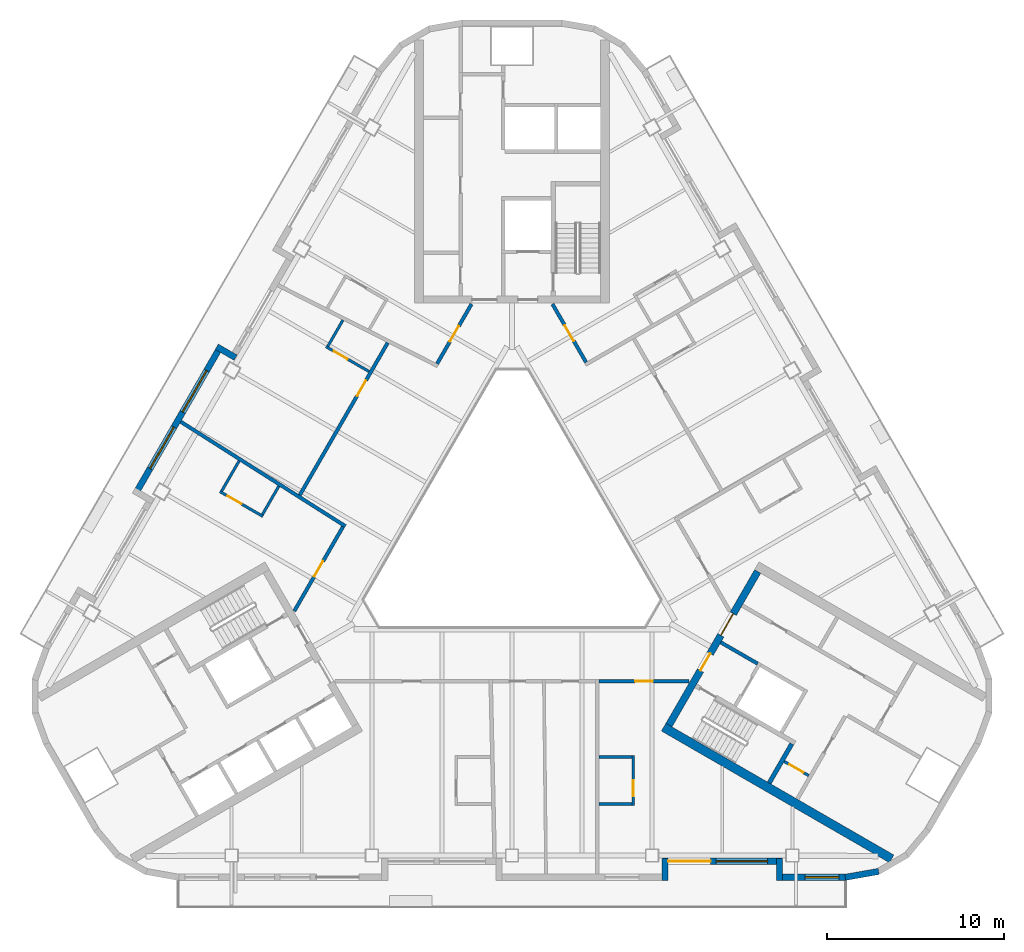
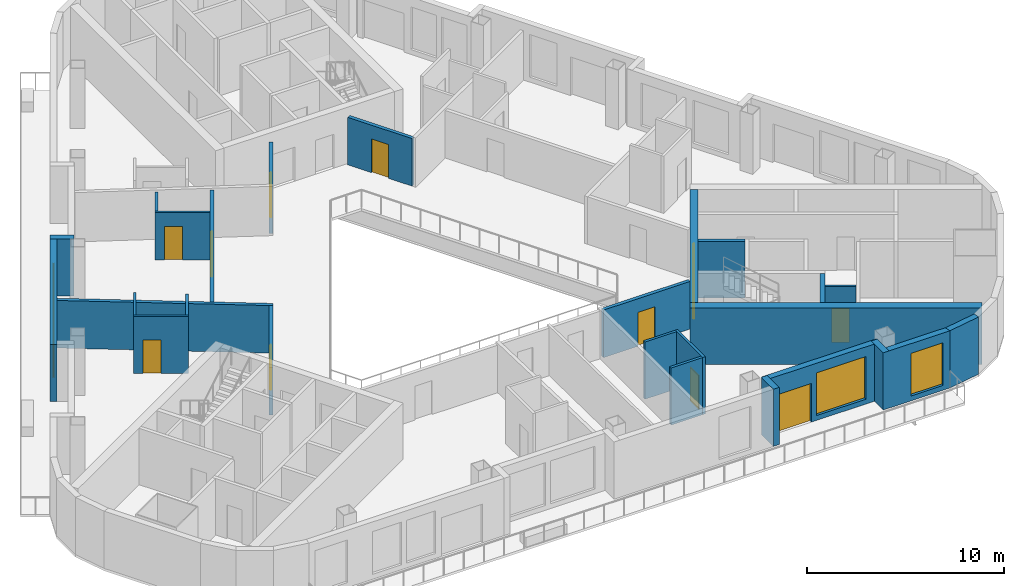
# One storey, part 4 of 13: 26 walls, 12 doors, 4 windows, 16 openings.
"""IFC4 building model written with IfcOpenShell, lengths in metres."""

from ifc_helpers import new_model, si_unit, direction, frame, frame_2d, origin, place, context, subcontext, project, spatial, rectangle, extrude, material, layer, layer_set, type_object, element, fill, save


model = new_model("IFC4")

# Units and contexts
model_context = context("Model", 3, precision=1e-05, world=origin(), true_north=direction((0.0, 1.0)))
body_context = subcontext(model_context, "Body", "Model", "MODEL_VIEW")
ifc_project = project(units=[si_unit("LENGTHUNIT", "METRE"), si_unit("AREAUNIT", "SQUARE_METRE"), si_unit("VOLUMEUNIT", "CUBIC_METRE"), si_unit("PLANEANGLEUNIT", "RADIAN"), si_unit("MASSUNIT", "GRAM", prefix="KILO")], contexts=[model_context])

# Site, building, storey
site_placement = place(None, origin())
site = spatial("IfcSite", under=ifc_project, at=site_placement, CompositionType="ELEMENT")
building_placement = place(site_placement, origin())
building = spatial("IfcBuilding", under=site, at=building_placement, Name="Apuvela Tower Hotel", CompositionType="ELEMENT")
storey_placement = place(building_placement, frame((0.0, 0.0, 198.39990234375)))
storey = spatial("IfcBuildingStorey", under=building, at=storey_placement, Name="L48", CompositionType="ELEMENT", Elevation=198.39990234375)

# Wall, openings, doors
ifc_material_1 = material(Name="Concrete C50/60", Category="concrete")
ifc_layer_1 = layer(ifc_material_1, 0.39990234375)
ifc_layer_set_1 = layer_set([ifc_layer_1], Name="COR-WALL-CORE-400")
wall_type_1 = type_object("IfcWallType", Name="COR-WALL-CORE-400", PredefinedType="SHEAR", material=ifc_layer_set_1)
wall_1_placement = place(storey_placement, frame((8.844970703125, -10.880126953125, 0.0), z_axis=(0.0, 0.0, 1.0), x_axis=(0.500004234368, 0.866022959057, 0.0)))
wall_1 = element("IfcWall", 1, at=wall_1_placement, inside=storey, type_object=wall_type_1, Name="Core wall SE", PredefinedType="SHEAR", context=body_context, shape_type="SweptSolid", body=[
    extrude(rectangle(XDim=10.0, YDim=0.39990234375, at=frame_2d((5.0, 0.0))), origin(), (0.0, 0.0, 1.0), 3.5),
])
opening_1_placement = place(wall_1_placement, frame((3.550048828125, 0.0, 0.0)))
opening_1 = element("IfcOpeningElement", 2, at=opening_1_placement, cuts=wall_1, Name="Opening E-FD", PredefinedType="OPENING", context=body_context, shape_type="SweptSolid", body=[
    extrude(rectangle(XDim=1.10009765625, YDim=2.10009765625, at=frame_2d((0.550048828125, 1.050048828125))), frame((0.0, 0.2099609375, 0.0), z_axis=(0.0, -1.0, 0.0), x_axis=(1.0, 0.0, 0.0)), (0.0, 0.0, 1.0), 0.419921875),
])
opening_2_placement = place(wall_1_placement, frame((5.85009765625, 0.0, 0.0)))
opening_2 = element("IfcOpeningElement", 3, at=opening_2_placement, cuts=wall_1, Name="Opening E-GD", PredefinedType="OPENING", context=body_context, shape_type="SweptSolid", body=[
    extrude(rectangle(XDim=1.39990234375, YDim=2.10009765625, at=frame_2d((0.699951171875, 1.050048828125))), frame((0.0, 0.2099609375, 0.0), z_axis=(0.0, -1.0, 0.0), x_axis=(1.0, 0.0, 0.0)), (0.0, 0.0, 1.0), 0.419921875),
])
ifc_material_2 = material(Name="Steel fire door, powder coated", Category="steel")
door_type_1 = type_object("IfcDoorType", Name="COR-FD-1100", OperationType="NOTDEFINED", PredefinedType="DOOR", material=ifc_material_2)
door_1_placement = place(opening_1_placement, frame((1.10009765625, 0.0, 0.0), z_axis=(0.0, 0.0, 1.0), x_axis=(-1.0, 0.0, 0.0)))
door_1 = element("IfcDoor", 4, at=door_1_placement, inside=storey, type_object=door_type_1, Name="Firefighting lobby door E-FD", OperationType="SINGLE_SWING_LEFT", OverallHeight=2.10009765625, OverallWidth=1.10009765625, PredefinedType="DOOR", context=body_context, shape_type="SweptSolid", body=[
    extrude(rectangle(XDim=1.10009765625, YDim=2.10009765625, at=frame_2d((0.550048828125, 1.050048828125))), frame((0.0, 0.02490234375, 0.0), z_axis=(0.0, -1.0, 0.0), x_axis=(1.0, 0.0, 0.0)), (0.0, 0.0, 1.0), 0.050048828125),
])
fill(opening_1, door_1)
ifc_material_3 = material(Name="Glazed steel fire door", Category="steel")
door_type_2 = type_object("IfcDoorType", Name="COR-GD-1400", OperationType="DOUBLE_DOOR_SINGLE_SWING", PredefinedType="DOOR", material=ifc_material_3)
door_2_placement = place(opening_2_placement, frame((1.39990234375, 0.0, 0.0), z_axis=(0.0, 0.0, 1.0), x_axis=(-1.0, 0.0, 0.0)))
door_2 = element("IfcDoor", 5, at=door_2_placement, inside=storey, type_object=door_type_2, Name="Lift lobby door E-GD", OperationType="DOUBLE_DOOR_SINGLE_SWING", OverallHeight=2.10009765625, OverallWidth=1.39990234375, PredefinedType="DOOR", context=body_context, shape_type="SweptSolid", body=[
    extrude(rectangle(XDim=1.39990234375, YDim=2.10009765625, at=frame_2d((0.699951171875, 1.050048828125))), frame((0.0, 0.02490234375, 0.0), z_axis=(0.0, -1.0, 0.0), x_axis=(1.0, 0.0, 0.0)), (0.0, 0.0, 1.0), 0.050048828125),
])
fill(opening_2, door_2)

# Wall
ifc_layer_2 = layer(ifc_material_1, 0.5)
ifc_layer_set_2 = layer_set([ifc_layer_2], Name="COR-WALL-CORE-500")
wall_type_2 = type_object("IfcWallType", Name="COR-WALL-CORE-500", PredefinedType="SHEAR", material=ifc_layer_set_2)
wall_2_placement = place(storey_placement, frame((8.546630859375, -10.99658203125, 0.0), z_axis=(0.0, 0.0, 1.0), x_axis=(0.866025009528, -0.500000682871, 0.0)))
element("IfcWall", 6, at=wall_2_placement, inside=storey, type_object=wall_type_2, Name="Core wall SE", PredefinedType="SHEAR", context=body_context, shape_type="SweptSolid", body=[
    extrude(rectangle(XDim=14.8369140625, YDim=0.5, at=frame_2d((7.41845703125, 0.0))), origin(), (0.0, 0.0, 1.0), 3.5),
])

# Wall, opening, door
ifc_material_4 = material(Name="Blockwork 150 mm plastered", Category="masonry")
ifc_layer_3 = layer(ifc_material_4, 0.14990234375)
ifc_layer_set_3 = layer_set([ifc_layer_3], Name="COR-WALL-PART-150")
wall_type_3 = type_object("IfcWallType", Name="COR-WALL-PART-150", PredefinedType="PARTITIONING", material=ifc_layer_set_3)
wall_3_placement = place(storey_placement, frame((15.341552734375, -12.927734375, 0.0), z_axis=(0.0, 0.0, 1.0), x_axis=(0.865989903783, -0.500061482766, 0.0)))
wall_3 = element("IfcWall", 7, at=wall_3_placement, inside=storey, type_object=wall_type_3, Name="Partition SE", PredefinedType="PARTITIONING", context=body_context, shape_type="SweptSolid", body=[
    extrude(rectangle(XDim=1.599853515625, YDim=0.14990234375, at=frame_2d((0.7998046875, 0.0))), origin(), (0.0, 0.0, 1.0), 3.5),
])
opening_3_placement = place(wall_3_placement, frame((0.35009765625, 0.0, 0.0)))
opening_3 = element("IfcOpeningElement", 8, at=opening_3_placement, cuts=wall_3, Name="Opening E-RD", PredefinedType="OPENING", context=body_context, shape_type="SweptSolid", body=[
    extrude(rectangle(XDim=0.89990234375, YDim=2.10009765625, at=frame_2d((0.449951171875, 1.050048828125))), frame((0.0, 0.0849609375, 0.0), z_axis=(0.0, -1.0, 0.0), x_axis=(1.0, 0.0, 0.0)), (0.0, 0.0, 1.0), 0.169921875),
])
ifc_material_5 = material(Name="Steel access door, powder coated", Category="steel")
door_type_3 = type_object("IfcDoorType", Name="COR-RD-900", OperationType="NOTDEFINED", PredefinedType="DOOR", material=ifc_material_5)
door_3_placement = place(opening_3_placement, frame((0.89990234375, 0.0, 0.0), z_axis=(0.0, 0.0, 1.0), x_axis=(-1.0, 0.0, 0.0)))
door_3 = element("IfcDoor", 9, at=door_3_placement, inside=storey, type_object=door_type_3, Name="Riser door E-RD", OperationType="SINGLE_SWING_LEFT", OverallHeight=2.10009765625, OverallWidth=0.89990234375, PredefinedType="DOOR", context=body_context, shape_type="SweptSolid", body=[
    extrude(rectangle(XDim=0.89990234375, YDim=2.10009765625, at=frame_2d((0.449951171875, 1.050048828125))), frame((0.0, 0.02490234375, 0.0), z_axis=(0.0, -1.0, 0.0), x_axis=(1.0, 0.0, 0.0)), (0.0, 0.0, 1.0), 0.050048828125),
])
fill(opening_3, door_3)

# Walls
ifc_layer_4 = layer(ifc_material_1, 0.199951171875)
ifc_layer_set_4 = layer_set([ifc_layer_4], Name="COR-WALL-SHAFT-200")
wall_type_4 = type_object("IfcWallType", Name="COR-WALL-SHAFT-200", PredefinedType="SHEAR", material=ifc_layer_set_4)
wall_4_placement = place(storey_placement, frame((11.76806640625, -6.217041015625, 0.0), z_axis=(0.0, 0.0, 1.0), x_axis=(0.866050077142, -0.499957262057, 0.0)))
element("IfcWall", 10, at=wall_4_placement, inside=storey, type_object=wall_type_4, Name="Shaft wall SE", PredefinedType="SHEAR", context=body_context, shape_type="SweptSolid", body=[
    extrude(rectangle(XDim=2.400146484375, YDim=0.199951171875, at=frame_2d((1.2001953125, 0.0))), origin(), (0.0, 0.0, 1.0), 3.5),
])
ifc_layer_5 = layer(ifc_material_1, 0.25)
ifc_layer_set_5 = layer_set([ifc_layer_5], Name="COR-WALL-STAIR-250")
wall_type_5 = type_object("IfcWallType", Name="COR-WALL-STAIR-250", PredefinedType="SHEAR", material=ifc_layer_set_5)
wall_5_placement = place(storey_placement, frame((14.49560546875, -14.142578125, 0.0), z_axis=(0.0, 0.0, 1.0), x_axis=(0.500062241894, 0.865989465428, 0.0)))
element("IfcWall", 11, at=wall_5_placement, inside=storey, type_object=wall_type_5, Name="Stair wall SE", PredefinedType="SHEAR", context=body_context, shape_type="SweptSolid", body=[
    extrude(rectangle(XDim=2.550048828125, YDim=0.25, at=frame_2d((1.27490234375, 0.0))), origin(), (0.0, 0.0, 1.0), 3.5),
])
ifc_material_6 = material(Name="Concrete C40/50, dark pigmented precast panel", Category="concrete")
ifc_layer_6 = layer(ifc_material_6, 0.35009765625)
ifc_layer_set_6 = layer_set([ifc_layer_6], Name="ENV-WALL-350")
wall_type_6 = type_object("IfcWallType", Name="ENV-WALL-350", PredefinedType="SOLIDWALL", material=ifc_layer_set_6)
wall_6_placement = place(storey_placement, frame((-15.580810546875, 9.8330078125, 0.0), z_axis=(0.0, 0.0, 1.0), x_axis=(-0.866055662726, 0.499947586314, 0.0)))
element("IfcWall", 12, at=wall_6_placement, inside=storey, type_object=wall_type_6, Name="External wall L48-04", PredefinedType="SOLIDWALL", context=body_context, shape_type="SweptSolid", body=[
    extrude(rectangle(XDim=1.220458984375, YDim=0.35009765625, at=frame_2d((0.6103515625, 0.0))), origin(), (0.0, 0.0, 1.0), 3.550048828125),
])

# Wall, openings, windows
wall_7_placement = place(storey_placement, frame((-16.3984375, 10.507080078125, 0.0), z_axis=(0.0, 0.0, 1.0), x_axis=(-0.499999142773, -0.866025898704, 0.0)))
wall_7 = element("IfcWall", 13, at=wall_7_placement, inside=storey, type_object=wall_type_6, Name="External wall L48-05", PredefinedType="SOLIDWALL", context=body_context, shape_type="SweptSolid", body=[
    extrude(rectangle(XDim=9.7001953125, YDim=0.35009765625, at=frame_2d((4.85009765625, 0.0))), origin(), (0.0, 0.0, 1.0), 3.550048828125),
])
opening_4_placement = place(wall_7_placement, frame((1.625, 0.0, 0.300048828125)))
opening_4 = element("IfcOpeningElement", 14, at=opening_4_placement, cuts=wall_7, Name="Opening WN27", PredefinedType="OPENING", context=body_context, shape_type="SweptSolid", body=[
    extrude(rectangle(XDim=2.699951171875, YDim=2.64990234375, at=frame_2d((1.35009765625, 1.324951171875))), frame((0.0, 0.18505859375, 0.0), z_axis=(0.0, -1.0, 0.0), x_axis=(1.0, 0.0, 0.0)), (0.0, 0.0, 1.0), 0.3701171875),
])
opening_5_placement = place(wall_7_placement, frame((5.2998046875, 0.0, 0.300048828125)))
opening_5 = element("IfcOpeningElement", 15, at=opening_5_placement, cuts=wall_7, Name="Opening WN27", PredefinedType="OPENING", context=body_context, shape_type="SweptSolid", body=[
    extrude(rectangle(XDim=2.699951171875, YDim=2.64990234375, at=frame_2d((1.35009765625, 1.324951171875))), frame((0.0, 0.18505859375, 0.0), z_axis=(0.0, -1.0, 0.0), x_axis=(1.0, 0.0, 0.0)), (0.0, 0.0, 1.0), 0.3701171875),
])
ifc_material_7 = material(Name="Glass, dark tinted laminated insulated glazing unit", Category="glass")
window_type_1 = type_object("IfcWindowType", Name="ENV-WIN-2700x2650", PartitioningType="SINGLE_PANEL", PredefinedType="WINDOW", material=ifc_material_7)
window_1_placement = place(opening_4_placement, origin())
window_1 = element("IfcWindow", 16, at=window_1_placement, inside=storey, type_object=window_type_1, Name="Window WN27", OverallHeight=2.64990234375, OverallWidth=2.699951171875, PartitioningType="SINGLE_PANEL", PredefinedType="WINDOW", context=body_context, shape_type="SweptSolid", body=[
    extrude(rectangle(XDim=2.699951171875, YDim=2.64990234375, at=frame_2d((1.35009765625, 1.324951171875))), frame((0.0, 0.030029296875, 0.0), z_axis=(0.0, -1.0, 0.0), x_axis=(1.0, 0.0, 0.0)), (0.0, 0.0, 1.0), 0.06005859375),
])
fill(opening_4, window_1)
window_2_placement = place(opening_5_placement, origin())
window_2 = element("IfcWindow", 17, at=window_2_placement, inside=storey, type_object=window_type_1, Name="Window WN27", OverallHeight=2.64990234375, OverallWidth=2.699951171875, PartitioningType="SINGLE_PANEL", PredefinedType="WINDOW", context=body_context, shape_type="SweptSolid", body=[
    extrude(rectangle(XDim=2.699951171875, YDim=2.64990234375, at=frame_2d((1.35009765625, 1.324951171875))), frame((0.0, 0.030029296875, 0.0), z_axis=(0.0, -1.0, 0.0), x_axis=(1.0, 0.0, 0.0)), (0.0, 0.0, 1.0), 0.06005859375),
])
fill(opening_5, window_2)

# Wall
wall_8_placement = place(storey_placement, frame((8.625, -19.6298828125, 0.0), z_axis=(0.0, 0.0, 1.0), x_axis=(0.0, 1.0, 0.0)))
element("IfcWall", 18, at=wall_8_placement, inside=storey, type_object=wall_type_6, Name="External wall L48-22", PredefinedType="SOLIDWALL", context=body_context, shape_type="SweptSolid", body=[
    extrude(rectangle(XDim=1.219970703125, YDim=0.35009765625, at=frame_2d((0.60986328125, 0.0))), origin(), (0.0, 0.0, 1.0), 3.550048828125),
])

# Wall, openings, door, window
wall_9_placement = place(storey_placement, frame((8.47998046875, -18.554931640625, 0.0), z_axis=(0.0, 0.0, 1.0), x_axis=(1.0, 0.0, 0.0)))
wall_9 = element("IfcWall", 19, at=wall_9_placement, inside=storey, type_object=wall_type_6, Name="External wall L48-23", PredefinedType="SOLIDWALL", context=body_context, shape_type="SweptSolid", body=[
    extrude(rectangle(XDim=6.739990234375, YDim=0.35009765625, at=frame_2d((3.3701171875, 0.0))), origin(), (0.0, 0.0, 1.0), 3.550048828125),
])
opening_6_placement = place(wall_9_placement, frame((0.3203125, 0.0, 0.0)))
opening_6 = element("IfcOpeningElement", 20, at=opening_6_placement, cuts=wall_9, Name="Opening BD24", PredefinedType="OPENING", context=body_context, shape_type="SweptSolid", body=[
    extrude(rectangle(XDim=2.39990234375, YDim=2.39990234375, at=frame_2d((1.199951171875, 1.199951171875))), frame((0.0, 0.18505859375, 0.0), z_axis=(0.0, -1.0, 0.0), x_axis=(1.0, 0.0, 0.0)), (0.0, 0.0, 1.0), 0.3701171875),
])
opening_7_placement = place(wall_9_placement, frame((3.020263671875, 0.0, 0.300048828125)))
opening_7 = element("IfcOpeningElement", 21, at=opening_7_placement, cuts=wall_9, Name="Opening WN29", PredefinedType="OPENING", context=body_context, shape_type="SweptSolid", body=[
    extrude(rectangle(XDim=2.89990234375, YDim=2.64990234375, at=frame_2d((1.449951171875, 1.324951171875))), frame((0.0, 0.18505859375, 0.0), z_axis=(0.0, -1.0, 0.0), x_axis=(1.0, 0.0, 0.0)), (0.0, 0.0, 1.0), 0.3701171875),
])
ifc_material_8 = material(Name="Aluminium 6063-T6, dark bronze anodised frame with dark tinted laminated glass", Category="aluminium")
door_type_4 = type_object("IfcDoorType", Name="ENV-DOOR-BALCONY-2400x2400", OperationType="SLIDING_TO_LEFT", PredefinedType="DOOR", material=ifc_material_8)
door_4_placement = place(opening_6_placement, frame((2.39990234375, 0.0, 0.0), z_axis=(0.0, 0.0, 1.0), x_axis=(-1.0, 0.0, 0.0)))
door_4 = element("IfcDoor", 22, at=door_4_placement, inside=storey, type_object=door_type_4, Name="Balcony door BD24", OperationType="SLIDING_TO_LEFT", OverallHeight=2.39990234375, OverallWidth=2.39990234375, PredefinedType="DOOR", context=body_context, shape_type="SweptSolid", body=[
    extrude(rectangle(XDim=2.39990234375, YDim=2.39990234375, at=frame_2d((1.199951171875, 1.199951171875))), frame((0.0, 0.02490234375, 0.0), z_axis=(0.0, -1.0, 0.0), x_axis=(1.0, 0.0, 0.0)), (0.0, 0.0, 1.0), 0.050048828125),
])
fill(opening_6, door_4)
window_type_2 = type_object("IfcWindowType", Name="ENV-WIN-2900x2650", PartitioningType="SINGLE_PANEL", PredefinedType="WINDOW", material=ifc_material_7)
window_3_placement = place(opening_7_placement, origin())
window_3 = element("IfcWindow", 23, at=window_3_placement, inside=storey, type_object=window_type_2, Name="Window WN29", OverallHeight=2.64990234375, OverallWidth=2.89990234375, PartitioningType="SINGLE_PANEL", PredefinedType="WINDOW", context=body_context, shape_type="SweptSolid", body=[
    extrude(rectangle(XDim=2.89990234375, YDim=2.64990234375, at=frame_2d((1.449951171875, 1.324951171875))), frame((0.0, 0.030029296875, 0.0), z_axis=(0.0, -1.0, 0.0), x_axis=(1.0, 0.0, 0.0)), (0.0, 0.0, 1.0), 0.06005859375),
])
fill(opening_7, window_3)

# Wall
wall_10_placement = place(storey_placement, frame((15.074951171875, -18.409912109375, 0.0), z_axis=(0.0, 0.0, 1.0), x_axis=(0.0, -1.0, 0.0)))
element("IfcWall", 24, at=wall_10_placement, inside=storey, type_object=wall_type_6, Name="External wall L48-24", PredefinedType="SOLIDWALL", context=body_context, shape_type="SweptSolid", body=[
    extrude(rectangle(XDim=1.219970703125, YDim=0.35009765625, at=frame_2d((0.60986328125, 0.0))), origin(), (0.0, 0.0, 1.0), 3.550048828125),
])

# Wall, opening, window
wall_11_placement = place(storey_placement, frame((14.89990234375, -19.455078125, 0.0), z_axis=(0.0, 0.0, 1.0), x_axis=(1.0, 0.0, 0.0)))
wall_11 = element("IfcWall", 25, at=wall_11_placement, inside=storey, type_object=wall_type_6, Name="External wall L48-25", PredefinedType="SOLIDWALL", context=body_context, shape_type="SweptSolid", body=[
    extrude(rectangle(XDim=3.916015625, YDim=0.35009765625, at=frame_2d((1.9580078125, 0.0))), origin(), (0.0, 0.0, 1.0), 3.550048828125),
])
opening_8_placement = place(wall_11_placement, frame((1.624755859375, 0.0, 0.300048828125)))
opening_8 = element("IfcOpeningElement", 26, at=opening_8_placement, cuts=wall_11, Name="Opening WN19", PredefinedType="OPENING", context=body_context, shape_type="SweptSolid", body=[
    extrude(rectangle(XDim=1.89990234375, YDim=2.64990234375, at=frame_2d((0.949951171875, 1.324951171875))), frame((0.0, 0.18505859375, 0.0), z_axis=(0.0, -1.0, 0.0), x_axis=(1.0, 0.0, 0.0)), (0.0, 0.0, 1.0), 0.3701171875),
])
window_type_3 = type_object("IfcWindowType", Name="ENV-WIN-1900x2650", PartitioningType="SINGLE_PANEL", PredefinedType="WINDOW", material=ifc_material_7)
window_4_placement = place(opening_8_placement, origin())
window_4 = element("IfcWindow", 27, at=window_4_placement, inside=storey, type_object=window_type_3, Name="Window WN19", OverallHeight=2.64990234375, OverallWidth=1.89990234375, PartitioningType="SINGLE_PANEL", PredefinedType="WINDOW", context=body_context, shape_type="SweptSolid", body=[
    extrude(rectangle(XDim=1.89990234375, YDim=2.64990234375, at=frame_2d((0.949951171875, 1.324951171875))), frame((0.0, 0.030029296875, 0.0), z_axis=(0.0, -1.0, 0.0), x_axis=(1.0, 0.0, 0.0)), (0.0, 0.0, 1.0), 0.06005859375),
])
fill(opening_8, window_4)

# Walls
wall_12_placement = place(storey_placement, frame((18.785400390625, -19.457763671875, 0.0), z_axis=(0.0, 0.0, 1.0), x_axis=(0.984798995425, 0.173697837091, 0.0)))
element("IfcWall", 28, at=wall_12_placement, inside=storey, type_object=wall_type_6, Name="External wall L48-26", PredefinedType="SOLIDWALL", context=body_context, shape_type="SweptSolid", body=[
    extrude(rectangle(XDim=1.91015625, YDim=0.35009765625, at=frame_2d((0.955078125, 0.0))), origin(), (0.0, 0.0, 1.0), 3.550048828125),
])
ifc_material_9 = material(Name="Gypsum board partition on twin steel stud", Category="steel")
ifc_layer_7 = layer(ifc_material_9, 0.199951171875)
ifc_layer_set_7 = layer_set([ifc_layer_7], Name="GST-PW1")
wall_type_7 = type_object("IfcWallType", Name="GST-PW1", PredefinedType="PARTITIONING", material=ifc_layer_set_7)
wall_13_placement = place(storey_placement, frame((-18.672119140625, 6.21923828125, 0.0), z_axis=(0.0, 0.0, 1.0), x_axis=(0.844423533478, -0.535676111198, 0.0)))
element("IfcWall", 29, at=wall_13_placement, inside=storey, type_object=wall_type_7, Name="L48 partition 06", PredefinedType="PARTITIONING", context=body_context, shape_type="SweptSolid", body=[
    extrude(rectangle(XDim=10.98974609375, YDim=0.199951171875, at=frame_2d((5.494873046875, 0.0))), origin(), (0.0, 0.0, 1.0), 2.9501953125),
])

# Wall, opening, door
ifc_material_10 = material(Name="Gypsum board corridor wall on twin steel stud, acoustic", Category="steel")
ifc_layer_8 = layer(ifc_material_10, 0.199951171875)
ifc_layer_set_8 = layer_set([ifc_layer_8], Name="GST-PW2")
wall_type_8 = type_object("IfcWallType", Name="GST-PW2", PredefinedType="PARTITIONING", material=ifc_layer_set_8)
wall_14_placement = place(storey_placement, frame((9.98828125, -8.39990234375, 0.0), z_axis=(0.0, 0.0, 1.0), x_axis=(-1.0, 0.0, 0.0)))
wall_14 = element("IfcWall", 30, at=wall_14_placement, inside=storey, type_object=wall_type_8, Name="L48 partition 14", PredefinedType="PARTITIONING", context=body_context, shape_type="SweptSolid", body=[
    extrude(rectangle(XDim=5.08837890625, YDim=0.199951171875, at=frame_2d((2.544189453125, 0.0))), origin(), (0.0, 0.0, 1.0), 2.9501953125),
])
opening_9_placement = place(wall_14_placement, frame((2.044189453125, 0.0, 0.0)))
opening_9 = element("IfcOpeningElement", 31, at=opening_9_placement, cuts=wall_14, Name="Opening GD18-06", PredefinedType="OPENING", context=body_context, shape_type="SweptSolid", body=[
    extrude(rectangle(XDim=1.0, YDim=2.10009765625, at=frame_2d((0.5, 1.050048828125))), frame((0.0, 0.10986328125, 0.0), z_axis=(0.0, -1.0, 0.0), x_axis=(1.0, 0.0, 0.0)), (0.0, 0.0, 1.0), 0.219970703125),
])
ifc_material_11 = material(Name="Timber door leaf in steel frame", Category="steel")
door_type_5 = type_object("IfcDoorType", Name="GST-D1", OperationType="NOTDEFINED", PredefinedType="DOOR", material=ifc_material_11)
door_5_placement = place(opening_9_placement, origin())
door_5 = element("IfcDoor", 32, at=door_5_placement, inside=storey, type_object=door_type_5, Name="Door L48-06", OperationType="SINGLE_SWING_RIGHT", OverallHeight=2.10009765625, OverallWidth=1.0, PredefinedType="DOOR", context=body_context, shape_type="SweptSolid", body=[
    extrude(rectangle(XDim=1.0, YDim=2.10009765625, at=frame_2d((0.5, 1.050048828125))), frame((0.0, 0.02490234375, 0.0), z_axis=(0.0, -1.0, 0.0), x_axis=(1.0, 0.0, 0.0)), (0.0, 0.0, 1.0), 0.050048828125),
])
fill(opening_9, door_5)

wall_15_placement = place(storey_placement, frame((2.280517578125, 12.85009765625, 0.0), z_axis=(0.0, 0.0, 1.0), x_axis=(0.499979074716, -0.866037484666, 0.0)))
wall_15 = element("IfcWall", 33, at=wall_15_placement, inside=storey, type_object=wall_type_8, Name="L48 partition 25", PredefinedType="PARTITIONING", context=body_context, shape_type="SweptSolid", body=[
    extrude(rectangle(XDim=3.788330078125, YDim=0.199951171875, at=frame_2d((1.89404296875, 0.0))), origin(), (0.0, 0.0, 1.0), 2.9501953125),
])
opening_10_placement = place(wall_15_placement, frame((1.39404296875, 0.0, 0.0)))
opening_10 = element("IfcOpeningElement", 34, at=opening_10_placement, cuts=wall_15, Name="Opening GD18-12", PredefinedType="OPENING", context=body_context, shape_type="SweptSolid", body=[
    extrude(rectangle(XDim=1.0, YDim=2.10009765625, at=frame_2d((0.5, 1.050048828125))), frame((0.0, 0.10986328125, 0.0), z_axis=(0.0, -1.0, 0.0), x_axis=(1.0, 0.0, 0.0)), (0.0, 0.0, 1.0), 0.219970703125),
])
door_6_placement = place(opening_10_placement, origin())
door_6 = element("IfcDoor", 35, at=door_6_placement, inside=storey, type_object=door_type_5, Name="Door L48-12", OperationType="SINGLE_SWING_RIGHT", OverallHeight=2.10009765625, OverallWidth=1.0, PredefinedType="DOOR", context=body_context, shape_type="SweptSolid", body=[
    extrude(rectangle(XDim=1.0, YDim=2.10009765625, at=frame_2d((0.5, 1.050048828125))), frame((0.0, 0.02490234375, 0.0), z_axis=(0.0, -1.0, 0.0), x_axis=(1.0, 0.0, 0.0)), (0.0, 0.0, 1.0), 0.050048828125),
])
fill(opening_10, door_6)

wall_16_placement = place(storey_placement, frame((-4.2216796875, 9.48779296875, 0.0), z_axis=(0.0, 0.0, 1.0), x_axis=(0.49998736472, 0.866032698644, 0.0)))
wall_16 = element("IfcWall", 36, at=wall_16_placement, inside=storey, type_object=wall_type_8, Name="L48 partition 29", PredefinedType="PARTITIONING", context=body_context, shape_type="SweptSolid", body=[
    extrude(rectangle(XDim=3.88232421875, YDim=0.199951171875, at=frame_2d((1.941162109375, 0.0))), origin(), (0.0, 0.0, 1.0), 2.9501953125),
])
opening_11_placement = place(wall_16_placement, frame((1.44140625, 0.0, 0.0)))
opening_11 = element("IfcOpeningElement", 37, at=opening_11_placement, cuts=wall_16, Name="Opening GD18-14", PredefinedType="OPENING", context=body_context, shape_type="SweptSolid", body=[
    extrude(rectangle(XDim=1.0, YDim=2.10009765625, at=frame_2d((0.5, 1.050048828125))), frame((0.0, 0.10986328125, 0.0), z_axis=(0.0, -1.0, 0.0), x_axis=(1.0, 0.0, 0.0)), (0.0, 0.0, 1.0), 0.219970703125),
])
door_7_placement = place(opening_11_placement, origin())
door_7 = element("IfcDoor", 38, at=door_7_placement, inside=storey, type_object=door_type_5, Name="Door L48-14", OperationType="SINGLE_SWING_LEFT", OverallHeight=2.10009765625, OverallWidth=1.0, PredefinedType="DOOR", context=body_context, shape_type="SweptSolid", body=[
    extrude(rectangle(XDim=1.0, YDim=2.10009765625, at=frame_2d((0.5, 1.050048828125))), frame((0.0, 0.02490234375, 0.0), z_axis=(0.0, -1.0, 0.0), x_axis=(1.0, 0.0, 0.0)), (0.0, 0.0, 1.0), 0.050048828125),
])
fill(opening_11, door_7)

wall_17_placement = place(storey_placement, frame((-11.962158203125, 2.0810546875, 0.0), z_axis=(0.0, 0.0, 1.0), x_axis=(0.500007290723, 0.866021194443, 0.0)))
wall_17 = element("IfcWall", 39, at=wall_17_placement, inside=storey, type_object=wall_type_8, Name="L48 partition 33", PredefinedType="PARTITIONING", context=body_context, shape_type="SweptSolid", body=[
    extrude(rectangle(XDim=9.917236328125, YDim=0.199951171875, at=frame_2d((4.95849609375, 0.0))), origin(), (0.0, 0.0, 1.0), 2.9501953125),
])
opening_12_placement = place(wall_17_placement, frame((6.461669921875, 0.0, 0.0)))
opening_12 = element("IfcOpeningElement", 40, at=opening_12_placement, cuts=wall_17, Name="Opening GD18-16", PredefinedType="OPENING", context=body_context, shape_type="SweptSolid", body=[
    extrude(rectangle(XDim=1.0, YDim=2.10009765625, at=frame_2d((0.5, 1.050048828125))), frame((0.0, 0.10986328125, 0.0), z_axis=(0.0, -1.0, 0.0), x_axis=(1.0, 0.0, 0.0)), (0.0, 0.0, 1.0), 0.219970703125),
])
door_8_placement = place(opening_12_placement, origin())
door_8 = element("IfcDoor", 41, at=door_8_placement, inside=storey, type_object=door_type_5, Name="Door L48-16", OperationType="SINGLE_SWING_LEFT", OverallHeight=2.10009765625, OverallWidth=1.0, PredefinedType="DOOR", context=body_context, shape_type="SweptSolid", body=[
    extrude(rectangle(XDim=1.0, YDim=2.10009765625, at=frame_2d((0.5, 1.050048828125))), frame((0.0, 0.02490234375, 0.0), z_axis=(0.0, -1.0, 0.0), x_axis=(1.0, 0.0, 0.0)), (0.0, 0.0, 1.0), 0.050048828125),
])
fill(opening_12, door_8)

wall_18_placement = place(storey_placement, frame((-12.268798828125, -4.449951171875, 0.0), z_axis=(0.0, 0.0, 1.0), x_axis=(0.500026884667, 0.866009881359, 0.0)))
wall_18 = element("IfcWall", 42, at=wall_18_placement, inside=storey, type_object=wall_type_8, Name="L48 partition 36", PredefinedType="PARTITIONING", context=body_context, shape_type="SweptSolid", body=[
    extrude(rectangle(XDim=5.484130859375, YDim=0.199951171875, at=frame_2d((2.7421875, 0.0))), origin(), (0.0, 0.0, 1.0), 2.9501953125),
])
opening_13_placement = place(wall_18_placement, frame((2.241943359375, 0.0, 0.0)))
opening_13 = element("IfcOpeningElement", 43, at=opening_13_placement, cuts=wall_18, Name="Opening GD18-18", PredefinedType="OPENING", context=body_context, shape_type="SweptSolid", body=[
    extrude(rectangle(XDim=1.0, YDim=2.10009765625, at=frame_2d((0.5, 1.050048828125))), frame((0.0, 0.10986328125, 0.0), z_axis=(0.0, -1.0, 0.0), x_axis=(1.0, 0.0, 0.0)), (0.0, 0.0, 1.0), 0.219970703125),
])
door_9_placement = place(opening_13_placement, origin())
door_9 = element("IfcDoor", 44, at=door_9_placement, inside=storey, type_object=door_type_5, Name="Door L48-18", OperationType="SINGLE_SWING_RIGHT", OverallHeight=2.10009765625, OverallWidth=1.0, PredefinedType="DOOR", context=body_context, shape_type="SweptSolid", body=[
    extrude(rectangle(XDim=1.0, YDim=2.10009765625, at=frame_2d((0.5, 1.050048828125))), frame((0.0, 0.02490234375, 0.0), z_axis=(0.0, -1.0, 0.0), x_axis=(1.0, 0.0, 0.0)), (0.0, 0.0, 1.0), 0.050048828125),
])
fill(opening_13, door_9)

ifc_material_12 = material(Name="Moisture-resistant gypsum board wet wall on steel stud", Category="steel")
ifc_layer_9 = layer(ifc_material_12, 0.14990234375)
ifc_layer_set_9 = layer_set([ifc_layer_9], Name="GST-PW3")
wall_type_9 = type_object("IfcWallType", Name="GST-PW3", PredefinedType="PARTITIONING", material=ifc_layer_set_9)
wall_19_placement = place(storey_placement, frame((6.824951171875, -15.39990234375, 0.0), z_axis=(0.0, 0.0, 1.0), x_axis=(0.0, 1.0, 0.0)))
wall_19 = element("IfcWall", 45, at=wall_19_placement, inside=storey, type_object=wall_type_9, Name="L48 partition 15", PredefinedType="PARTITIONING", context=body_context, shape_type="SweptSolid", body=[
    extrude(rectangle(XDim=2.7998046875, YDim=0.14990234375, at=frame_2d((1.39990234375, 0.0))), origin(), (0.0, 0.0, 1.0), 3.550048828125),
])
opening_14_placement = place(wall_19_placement, frame((0.5, 0.0, 0.0)))
opening_14 = element("IfcOpeningElement", 46, at=opening_14_placement, cuts=wall_19, Name="Opening GD18-05", PredefinedType="OPENING", context=body_context, shape_type="SweptSolid", body=[
    extrude(rectangle(XDim=0.89990234375, YDim=2.10009765625, at=frame_2d((0.449951171875, 1.050048828125))), frame((0.0, 0.0849609375, 0.0), z_axis=(0.0, -1.0, 0.0), x_axis=(1.0, 0.0, 0.0)), (0.0, 0.0, 1.0), 0.169921875),
])
door_type_6 = type_object("IfcDoorType", Name="GST-D2", OperationType="NOTDEFINED", PredefinedType="DOOR", material=ifc_material_11)
door_10_placement = place(opening_14_placement, origin())
door_10 = element("IfcDoor", 47, at=door_10_placement, inside=storey, type_object=door_type_6, Name="Door L48-05", OperationType="SINGLE_SWING_LEFT", OverallHeight=2.10009765625, OverallWidth=0.89990234375, PredefinedType="DOOR", context=body_context, shape_type="SweptSolid", body=[
    extrude(rectangle(XDim=0.89990234375, YDim=2.10009765625, at=frame_2d((0.449951171875, 1.050048828125))), frame((0.0, 0.02490234375, 0.0), z_axis=(0.0, -1.0, 0.0), x_axis=(1.0, 0.0, 0.0)), (0.0, 0.0, 1.0), 0.050048828125),
])
fill(opening_14, door_10)

# Walls
for number, where, z_axis, x_axis, name in (
    (48, (4.89990234375, -15.324951171875, 0.0), (0.0, 0.0, 1.0), (1.0, 0.0, 0.0), "L48 partition 16"),
    (49, (4.89990234375, -12.675048828125, 0.0), (0.0, 0.0, 1.0), (1.0, 0.0, 0.0), "L48 partition 17"),
):
    element("IfcWall", number, at=place(storey_placement, frame(where, z_axis=z_axis, x_axis=x_axis)), inside=storey, type_object=wall_type_9, Name=name, PredefinedType="PARTITIONING", context=body_context, shape_type="SweptSolid", body=[
        extrude(rectangle(XDim=1.85009765625, YDim=0.14990234375, at=frame_2d((0.925048828125, 0.0))), origin(), (0.0, 0.0, 1.0), 3.550048828125),
    ])

# Wall, opening, door
wall_20_placement = place(storey_placement, frame((-10.480224609375, 10.44775390625, 0.0), z_axis=(0.0, 0.0, 1.0), x_axis=(0.865996816683, -0.500049511043, 0.0)))
wall_20 = element("IfcWall", 50, at=wall_20_placement, inside=storey, type_object=wall_type_9, Name="L48 partition 34", PredefinedType="PARTITIONING", context=body_context, shape_type="SweptSolid", body=[
    extrude(rectangle(XDim=2.800048828125, YDim=0.14990234375, at=frame_2d((1.39990234375, 0.0))), origin(), (0.0, 0.0, 1.0), 2.9501953125),
])
opening_15_placement = place(wall_20_placement, frame((0.5, 0.0, 0.0)))
opening_15 = element("IfcOpeningElement", 51, at=opening_15_placement, cuts=wall_20, Name="Opening GD18-15", PredefinedType="OPENING", context=body_context, shape_type="SweptSolid", body=[
    extrude(rectangle(XDim=0.89990234375, YDim=2.10009765625, at=frame_2d((0.449951171875, 1.050048828125))), frame((0.0, 0.0849609375, 0.0), z_axis=(0.0, -1.0, 0.0), x_axis=(1.0, 0.0, 0.0)), (0.0, 0.0, 1.0), 0.169921875),
])
door_11_placement = place(opening_15_placement, origin())
door_11 = element("IfcDoor", 52, at=door_11_placement, inside=storey, type_object=door_type_6, Name="Door L48-15", OperationType="SINGLE_SWING_LEFT", OverallHeight=2.10009765625, OverallWidth=0.89990234375, PredefinedType="DOOR", context=body_context, shape_type="SweptSolid", body=[
    extrude(rectangle(XDim=0.89990234375, YDim=2.10009765625, at=frame_2d((0.449951171875, 1.050048828125))), frame((0.0, 0.02490234375, 0.0), z_axis=(0.0, -1.0, 0.0), x_axis=(1.0, 0.0, 0.0)), (0.0, 0.0, 1.0), 0.050048828125),
])
fill(opening_15, door_11)

# Wall
wall_21_placement = place(storey_placement, frame((-9.528564453125, 11.946044921875, 0.0), z_axis=(0.0, 0.0, 1.0), x_axis=(-0.499942281444, -0.866058725044, 0.0)))
element("IfcWall", 53, at=wall_21_placement, inside=storey, type_object=wall_type_9, Name="L48 partition 35", PredefinedType="PARTITIONING", context=body_context, shape_type="SweptSolid", body=[
    extrude(rectangle(XDim=1.698486328125, YDim=0.14990234375, at=frame_2d((0.84912109375, 0.0))), origin(), (0.0, 0.0, 1.0), 2.9501953125),
])

# Wall, opening, door
wall_22_placement = place(storey_placement, frame((-16.4638671875, 2.283935546875, 0.0), z_axis=(0.0, 0.0, 1.0), x_axis=(0.866018616679, -0.500011755427, 0.0)))
wall_22 = element("IfcWall", 54, at=wall_22_placement, inside=storey, type_object=wall_type_9, Name="L48 partition 37", PredefinedType="PARTITIONING", context=body_context, shape_type="SweptSolid", body=[
    extrude(rectangle(XDim=2.80029296875, YDim=0.14990234375, at=frame_2d((1.400146484375, 0.0))), origin(), (0.0, 0.0, 1.0), 3.550048828125),
])
opening_16_placement = place(wall_22_placement, frame((0.5, 0.0, 0.0)))
opening_16 = element("IfcOpeningElement", 55, at=opening_16_placement, cuts=wall_22, Name="Opening GD18-17", PredefinedType="OPENING", context=body_context, shape_type="SweptSolid", body=[
    extrude(rectangle(XDim=0.89990234375, YDim=2.10009765625, at=frame_2d((0.449951171875, 1.050048828125))), frame((0.0, 0.0849609375, 0.0), z_axis=(0.0, -1.0, 0.0), x_axis=(1.0, 0.0, 0.0)), (0.0, 0.0, 1.0), 0.169921875),
])
door_12_placement = place(opening_16_placement, origin())
door_12 = element("IfcDoor", 56, at=door_12_placement, inside=storey, type_object=door_type_6, Name="Door L48-17", OperationType="SINGLE_SWING_LEFT", OverallHeight=2.10009765625, OverallWidth=0.89990234375, PredefinedType="DOOR", context=body_context, shape_type="SweptSolid", body=[
    extrude(rectangle(XDim=0.89990234375, YDim=2.10009765625, at=frame_2d((0.449951171875, 1.050048828125))), frame((0.0, 0.02490234375, 0.0), z_axis=(0.0, -1.0, 0.0), x_axis=(1.0, 0.0, 0.0)), (0.0, 0.0, 1.0), 0.050048828125),
])
fill(opening_16, door_12)

# Walls
wall_23_placement = place(storey_placement, frame((-15.37939453125, 4.011962890625, 0.0), z_axis=(0.0, 0.0, 1.0), x_axis=(-0.500016598995, -0.866015820138, 0.0)))
element("IfcWall", 57, at=wall_23_placement, inside=storey, type_object=wall_type_9, Name="L48 partition 38", PredefinedType="PARTITIONING", context=body_context, shape_type="SweptSolid", body=[
    extrude(rectangle(XDim=1.9638671875, YDim=0.14990234375, at=frame_2d((0.98193359375, 0.0))), origin(), (0.0, 0.0, 1.0), 3.550048828125),
])
wall_24_placement = place(storey_placement, frame((-13.139892578125, 2.59130859375, 0.0), z_axis=(0.0, 0.0, 1.0), x_axis=(-0.499950530793, -0.86605396296, 0.0)))
element("IfcWall", 58, at=wall_24_placement, inside=storey, type_object=wall_type_9, Name="L48 partition 39", PredefinedType="PARTITIONING", context=body_context, shape_type="SweptSolid", body=[
    extrude(rectangle(XDim=1.853271484375, YDim=0.14990234375, at=frame_2d((0.9267578125, 0.0))), origin(), (0.0, 0.0, 1.0), 3.550048828125),
])

save(model, "model.ifc")
